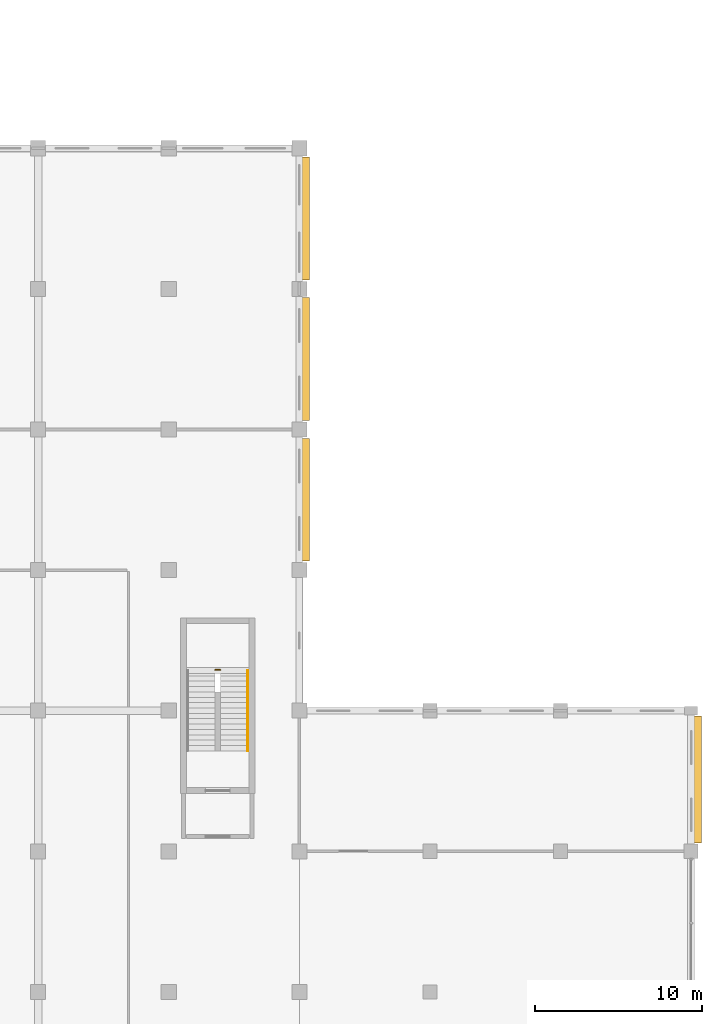
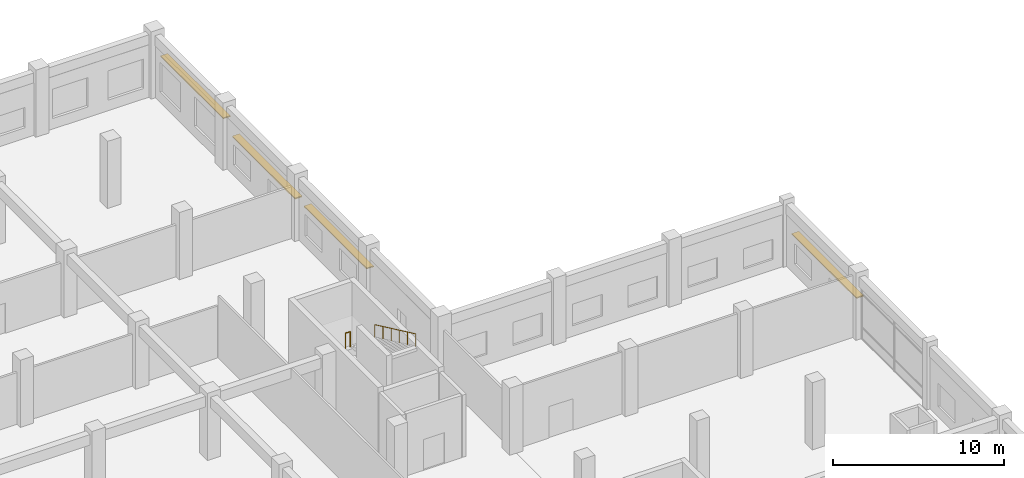
# One storey, part 79 of 79: 4 shading devices, 2 railings.
"""IFC4 building model written with IfcOpenShell, lengths in metres."""

from ifc_helpers import new_model, si_unit, direction, frame, origin, origin_2d, place, context, subcontext, project, spatial, rectangle, circle, extrude, material, layer, layer_set, type_object, element, save


model = new_model("IFC4")

# Units and contexts
model_context = context("Model", 3, precision=1e-05, world=origin(), true_north=direction((0.0, 1.0)))
body_context = subcontext(model_context, "Body", "Model", "MODEL_VIEW")
ifc_project = project(units=[si_unit("LENGTHUNIT", "METRE"), si_unit("AREAUNIT", "SQUARE_METRE"), si_unit("VOLUMEUNIT", "CUBIC_METRE"), si_unit("PLANEANGLEUNIT", "RADIAN"), si_unit("MASSUNIT", "GRAM", prefix="KILO"), si_unit("THERMODYNAMICTEMPERATUREUNIT", "KELVIN"), si_unit("POWERUNIT", "WATT")], contexts=[model_context])

# Site, building, storey
site_placement = place(None, origin())
site = spatial("IfcSite", under=ifc_project, at=site_placement, CompositionType="ELEMENT")
building_placement = place(site_placement, origin())
building = spatial("IfcBuilding", under=site, at=building_placement, Name="Srebrne Nadtorze General Hospital", CompositionType="ELEMENT")
storey_placement = place(building_placement, frame((0.0, 0.0, 4.800048828125)))
storey = spatial("IfcBuildingStorey", under=building, at=storey_placement, Name="L01", CompositionType="ELEMENT", Elevation=4.800048828125)

# Shading devices
ifc_material_1 = material(Name="Anodised Aluminium", Category="aluminium")
ifc_layer = layer(ifc_material_1, 0.080078125)
ifc_layer_set = layer_set([ifc_layer], Name="Anodised Aluminium")
shading_device_type = type_object("IfcShadingDeviceType", Name="Hisashi horizontal aluminium sunshade", PredefinedType="JALOUSIE", material=ifc_layer_set)
for number, where, z_axis, x_axis, name in (
    (1, (148.580078125, 88.199951171875, 2.31982421875), (0.0, 0.0, 1.0), (1.0, 0.0, 0.0), "Hisashi horizontal sunshade eave LV-120"),
    (2, (148.580078125, 96.60009765625, 2.219970703125), (0.0, 0.0, 1.0), (1.0, 0.0, 0.0), "Hisashi horizontal sunshade eave LV-121"),
    (3, (148.580078125, 105.0, 2.869873046875), (0.0, 0.0, 1.0), (1.0, 0.0, 0.0), "Hisashi horizontal sunshade eave LV-122"),
):
    element("IfcShadingDevice", number, at=place(storey_placement, frame(where, z_axis=z_axis, x_axis=x_axis)), inside=storey, type_object=shading_device_type, Name=name, PredefinedType="JALOUSIE", context=body_context, shape_type="SweptSolid", body=[
        extrude(rectangle(XDim=0.47998046875, YDim=7.340087890625, at=origin_2d()), origin(), (0.0, 0.0, 1.0), 0.080078125),
    ])
shading_device_placement = place(storey_placement, frame((171.97998046875, 71.487548828125, 2.219970703125), z_axis=(0.0, 0.0, 1.0), x_axis=(1.0, 0.0, 0.0)))
element("IfcShadingDevice", 4, at=shading_device_placement, inside=storey, type_object=shading_device_type, Name="Hisashi horizontal sunshade eave LV-125", PredefinedType="JALOUSIE", context=body_context, shape_type="SweptSolid", body=[
    extrude(rectangle(XDim=0.47998046875, YDim=7.56494140625, at=origin_2d()), origin(), (0.0, 0.0, 1.0), 0.080078125),
])

# Railings
ifc_material_2 = material(Name="Stainless Steel 316", Category="steel")
railing_type_1 = type_object("IfcRailingType", Name="Stairwell safety guard 1120", PredefinedType="BALUSTRADE", material=ifc_material_2)
railing_1_placement = place(storey_placement, frame((143.1650390625, 78.0400390625, 2.39990234375)))
element("IfcRailing", 5, at=railing_1_placement, inside=storey, type_object=railing_type_1, Name="Half landing well guard ST-04-L01", PredefinedType="BALUSTRADE", context=body_context, shape_type="SweptSolid", body=[
    extrude(circle(Radius=0.02392578125, at=origin_2d()), frame((0.0, 0.0, 1.09619140625), z_axis=(1.0, 0.0, 0.0), x_axis=(0.0, 1.0, 0.0)), (0.0, 0.0, 1.0), 0.320068359375),
    extrude(circle(Radius=0.02099609375, at=origin_2d()), origin(), (0.0, 0.0, 1.0), 1.072021484375),
    extrude(circle(Radius=0.02099609375, at=origin_2d()), frame((0.320068359375, 0.0, 0.0)), (0.0, 0.0, 1.0), 1.072021484375),
])
ifc_material_3 = material(Name="Stainless Steel 316", Category="steel")
railing_type_2 = type_object("IfcRailingType", Name="Tubular stainless handrail 920", PredefinedType="HANDRAIL", material=ifc_material_3)
railing_2_placement = place(storey_placement, frame((145.1201171875, 78.0, 2.550048828125)))
element("IfcRailing", 6, at=railing_2_placement, inside=storey, type_object=railing_type_2, Name="Stair flight handrail ST-04-L01 F2", PredefinedType="HANDRAIL", context=body_context, shape_type="SweptSolid", body=[
    extrude(circle(Radius=0.02392578125, at=origin_2d()), frame((0.0, 0.0, 0.89599609375), z_axis=(0.0, -0.90546059521, 0.424430336476), x_axis=(1.0, 0.0, 0.0)), (0.0, 0.0, 1.0), 5.30126953125),
    extrude(circle(Radius=0.02099609375, at=origin_2d()), origin(), (0.0, 0.0, 1.0), 0.871826171875),
    extrude(circle(Radius=0.02099609375, at=origin_2d()), frame((0.0, -0.9599609375, 0.449951171875)), (0.0, 0.0, 1.0), 0.871826171875),
    extrude(circle(Radius=0.02099609375, at=origin_2d()), frame((0.0, -1.919921875, 0.89990234375)), (0.0, 0.0, 1.0), 0.871826171875),
    extrude(circle(Radius=0.02099609375, at=origin_2d()), frame((0.0, -2.880126953125, 1.35009765625)), (0.0, 0.0, 1.0), 0.871826171875),
    extrude(circle(Radius=0.02099609375, at=origin_2d()), frame((0.0, -3.840087890625, 1.800048828125)), (0.0, 0.0, 1.0), 0.871826171875),
    extrude(circle(Radius=0.02099609375, at=origin_2d()), frame((0.0, -4.800048828125, 2.25)), (0.0, 0.0, 1.0), 0.871826171875),
])

save(model, "model.ifc")
